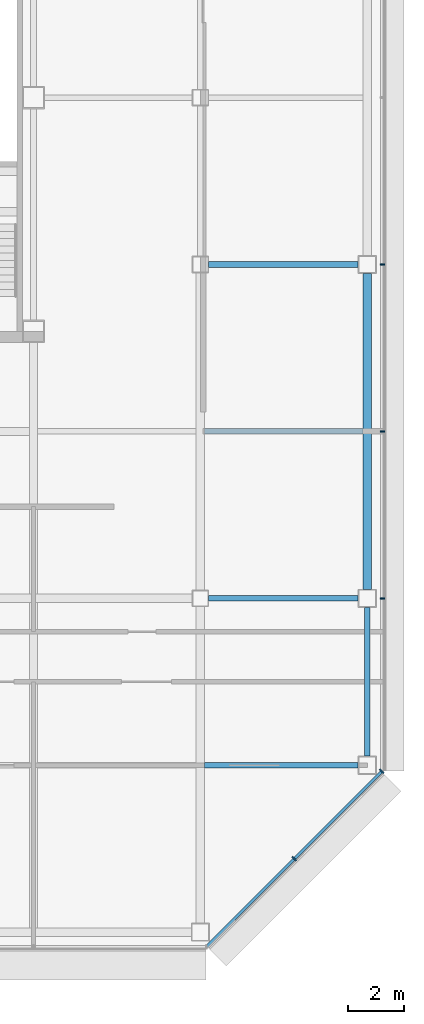
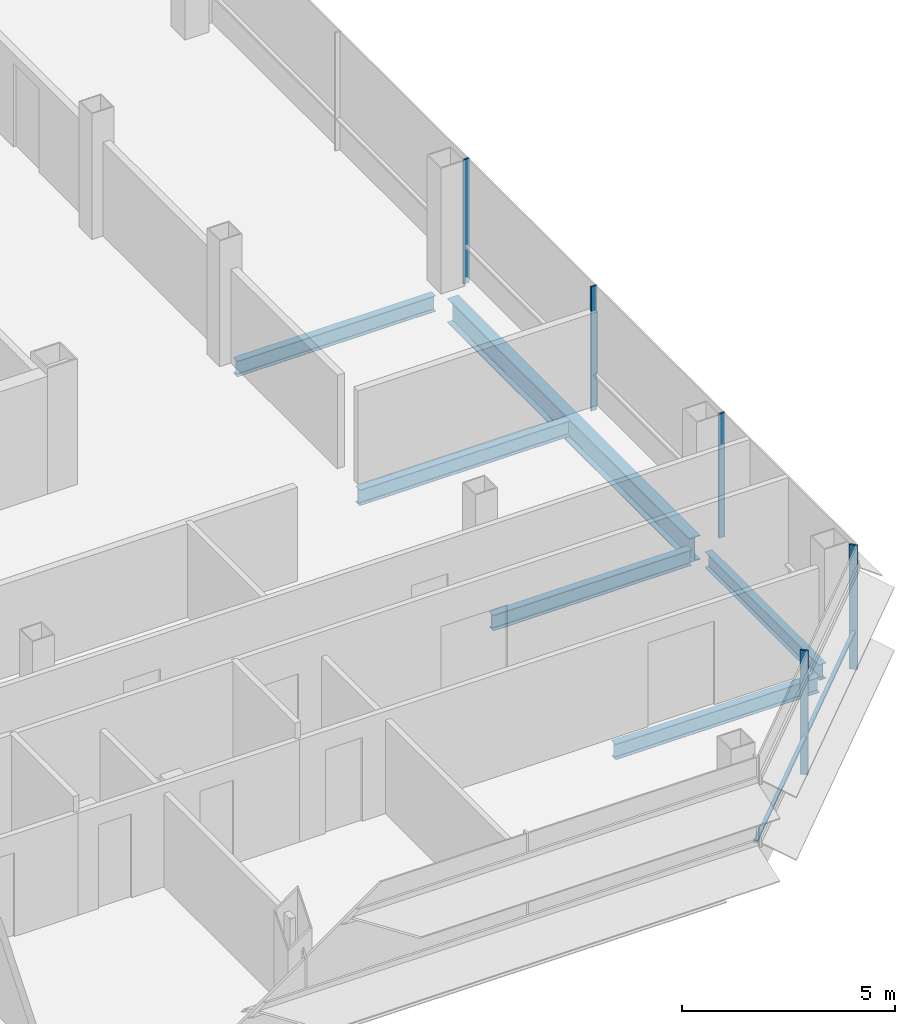
# One storey, part 16 of 27: 6 beams, 6 members, 2 elements without a shape of their own.
"""IFC4 building model written with IfcOpenShell, lengths in metres."""

from ifc_helpers import new_model, si_unit, direction, frame, origin, origin_2d, place, context, subcontext, project, spatial, rectangle, i_section, extrude, material, material_profile, profile_set, type_object, element, aggregate, save


model = new_model("IFC4")

# Units and contexts
model_context = context("Model", 3, precision=1e-05, world=origin(), true_north=direction((0.0, 1.0)))
body_context = subcontext(model_context, "Body", "Model", "MODEL_VIEW")
ifc_project = project(units=[si_unit("LENGTHUNIT", "METRE"), si_unit("AREAUNIT", "SQUARE_METRE"), si_unit("VOLUMEUNIT", "CUBIC_METRE"), si_unit("PLANEANGLEUNIT", "RADIAN"), si_unit("MASSUNIT", "GRAM", prefix="KILO")], contexts=[model_context])

# Site, building, storey
site_placement = place(None, origin())
site = spatial("IfcSite", under=ifc_project, at=site_placement, CompositionType="ELEMENT")
building_placement = place(site_placement, origin())
building = spatial("IfcBuilding", under=site, at=building_placement, Name="Sorahane Residences", CompositionType="ELEMENT")
storey_placement = place(building_placement, frame((0.0, 0.0, 206.39990234375)))
storey = spatial("IfcBuildingStorey", under=building, at=storey_placement, Name="L48", CompositionType="ELEMENT", Elevation=206.39990234375)

# Curtain wall, members
ifc_material_1 = material(Name="Dark low-e glass and black anodised aluminium", Category="aluminium")
curtain_wall_type_1 = type_object("IfcCurtainWallType", Name="Curtain wall CW-1 Typical unitised wall", PredefinedType="NOTDEFINED", material=ifc_material_1)
curtain_wall_1_placement = place(storey_placement, origin())
curtain_wall_1 = element("IfcCurtainWall", 1, at=curtain_wall_1_placement, inside=storey, type_object=curtain_wall_type_1, Name="CW-1 curtain wall L48 E1", PredefinedType="NOTDEFINED")
ifc_material_2 = material(Name="Black anodised aluminium", Category="aluminium")
ifc_material_profile_1 = material_profile(ifc_material_2, rectangle(XDim=0.159912109375, YDim=0.050048828125, at=origin_2d()), Name="Curtain wall mullion CW-1 black anodised aluminium 50x160")
ifc_profile_set_1 = profile_set([ifc_material_profile_1], Name="Black anodised aluminium")
member_type_1 = type_object("IfcMemberType", Name="Curtain wall mullion CW-1 black anodised aluminium 50x160", PredefinedType="MULLION", material=ifc_profile_set_1)
member_1_placement = place(storey_placement, frame((54.5400390625, 12.0, -0.179931640625), z_axis=(0.0, 0.0, 1.0), x_axis=(1.0, 0.0, 0.0)))
member_1 = element("IfcMember", 2, at=member_1_placement, type_object=member_type_1, Name="CW-1 mullion L48 E1.2", PredefinedType="MULLION", context=body_context, shape_type="SweptSolid", body=[
    extrude(rectangle(XDim=0.159912109375, YDim=0.050048828125, at=origin_2d()), origin(), (0.0, 0.0, 1.0), 3.56005859375),
])
member_2_placement = place(storey_placement, frame((54.5400390625, 18.0, -0.179931640625), z_axis=(0.0, 0.0, 1.0), x_axis=(1.0, 0.0, 0.0)))
member_2 = element("IfcMember", 3, at=member_2_placement, type_object=member_type_1, Name="CW-1 mullion L48 E1.3", PredefinedType="MULLION", context=body_context, shape_type="SweptSolid", body=[
    extrude(rectangle(XDim=0.159912109375, YDim=0.050048828125, at=origin_2d()), origin(), (0.0, 0.0, 1.0), 3.56005859375),
])
member_3_placement = place(storey_placement, frame((54.5400390625, 24.0, -0.179931640625), z_axis=(0.0, 0.0, 1.0), x_axis=(1.0, 0.0, 0.0)))
member_3 = element("IfcMember", 4, at=member_3_placement, type_object=member_type_1, Name="CW-1 mullion L48 E1.4", PredefinedType="MULLION", context=body_context, shape_type="SweptSolid", body=[
    extrude(rectangle(XDim=0.159912109375, YDim=0.050048828125, at=origin_2d()), origin(), (0.0, 0.0, 1.0), 3.56005859375),
])
aggregate(curtain_wall_1, [member_1, member_2, member_3])

ifc_material_3 = material(Name="Dark low-e glass and black anodised aluminium", Category="aluminium")
curtain_wall_type_2 = type_object("IfcCurtainWallType", Name="Curtain wall CW-2 Chamfer unitised wall", PredefinedType="NOTDEFINED", material=ifc_material_3)
curtain_wall_2_placement = place(storey_placement, origin())
curtain_wall_2 = element("IfcCurtainWall", 5, at=curtain_wall_2_placement, inside=storey, type_object=curtain_wall_type_2, Name="CW-2 curtain wall L48 SE1", PredefinedType="NOTDEFINED")
ifc_material_4 = material(Name="Black anodised aluminium", Category="aluminium")
ifc_material_profile_2 = material_profile(ifc_material_4, rectangle(XDim=0.199951171875, YDim=0.050048828125, at=origin_2d()), Name="Curtain wall mullion CW-2 black anodised aluminium 50x200")
ifc_profile_set_2 = profile_set([ifc_material_profile_2], Name="Black anodised aluminium")
member_type_2 = type_object("IfcMemberType", Name="Curtain wall mullion CW-2 black anodised aluminium 50x200", PredefinedType="MULLION", material=ifc_profile_set_2)
member_4_placement = place(storey_placement, frame((51.36767578125, 2.63232421875, -0.179931640625), z_axis=(0.0, 0.0, 1.0), x_axis=(0.707106781187, -0.707106781187, 0.0)))
member_4 = element("IfcMember", 6, at=member_4_placement, type_object=member_type_2, Name="CW-2 mullion L48 SE1.2", PredefinedType="MULLION", context=body_context, shape_type="SweptSolid", body=[
    extrude(rectangle(XDim=0.199951171875, YDim=0.050048828125, at=origin_2d()), origin(), (0.0, 0.0, 1.0), 3.56005859375),
])
member_5_placement = place(storey_placement, frame((54.525634765625, 5.790283203125, -0.179931640625), z_axis=(0.0, 0.0, 1.0), x_axis=(0.707106781187, -0.707106781187, 0.0)))
member_5 = element("IfcMember", 7, at=member_5_placement, type_object=member_type_2, Name="CW-2 mullion L48 SE1.3", PredefinedType="MULLION", context=body_context, shape_type="SweptSolid", body=[
    extrude(rectangle(XDim=0.199951171875, YDim=0.050048828125, at=origin_2d()), origin(), (0.0, 0.0, 1.0), 3.56005859375),
])
ifc_material_5 = material(Name="Black anodised aluminium", Category="aluminium")
ifc_material_profile_3 = material_profile(ifc_material_5, rectangle(XDim=0.10009765625, YDim=0.06005859375, at=origin_2d()), Name="Curtain wall transom CW-2 black anodised aluminium 60x100")
ifc_profile_set_3 = profile_set([ifc_material_profile_3], Name="Black anodised aluminium")
member_type_3 = type_object("IfcMemberType", Name="Curtain wall transom CW-2 black anodised aluminium 60x100", PredefinedType="USERDEFINED", material=ifc_profile_set_3)
member_6_placement = place(storey_placement, frame((48.234375, -0.51513671875, 0.900146484375), z_axis=(0.707106781187, 0.707106781187, 0.0), x_axis=(-0.707106781187, 0.707106781187, 0.0)))
member_6 = element("IfcMember", 8, at=member_6_placement, type_object=member_type_3, Name="CW-2 transom L48 SE1", ObjectType="TRANSOM", PredefinedType="USERDEFINED", context=body_context, shape_type="SweptSolid", body=[
    extrude(rectangle(XDim=0.10009765625, YDim=0.06005859375, at=origin_2d()), origin(), (0.0, 0.0, 1.0), 8.88232421875),
])
aggregate(curtain_wall_2, [member_4, member_5, member_6])

# Beams
ifc_material_6 = material(Name="Steel Q355B", Category="steel")
ifc_material_profile_4 = material_profile(ifc_material_6, i_section(OverallWidth=0.199951171875, OverallDepth=0.449951171875, WebThickness=0.009033203125, FlangeThickness=0.013916015625, FilletRadius=0.02001953125, at=origin_2d()), Name="HN 450x200x9x14")
ifc_profile_set_4 = profile_set([ifc_material_profile_4], Name="Steel Q355B")
beam_type_1 = type_object("IfcBeamType", Name="Steel floor beam HN 450x200x9x14 Q355B", PredefinedType="BEAM", material=ifc_profile_set_4)
for number, where, z_axis, x_axis, name in (
    (9, (48.300048828125, 12.0, -0.40478515625), (1.0, 0.0, 0.0), (0.0, 1.0, 0.0), "Beam L48 010"),
    (10, (48.300048828125, 24.0, -0.40478515625), (1.0, 0.0, 0.0), (0.0, 1.0, 0.0), "Beam L48 012"),
):
    element("IfcBeam", number, at=place(storey_placement, frame(where, z_axis=z_axis, x_axis=x_axis)), inside=storey, type_object=beam_type_1, Name=name, PredefinedType="BEAM", context=body_context, shape_type="SweptSolid", body=[
        extrude(i_section(OverallWidth=0.199951171875, OverallDepth=0.449951171875, WebThickness=0.009033203125, FlangeThickness=0.013916015625, FilletRadius=0.02001953125, at=origin_2d()), origin(), (0.0, 0.0, 1.0), 5.375),
    ])
beam_1_placement = place(storey_placement, frame((54.0, 6.324951171875, -0.40478515625), z_axis=(0.0, 1.0, 0.0), x_axis=(-1.0, 0.0, 0.0)))
element("IfcBeam", 11, at=beam_1_placement, inside=storey, type_object=beam_type_1, Name="Beam L48 064", PredefinedType="BEAM", context=body_context, shape_type="SweptSolid", body=[
    extrude(i_section(OverallWidth=0.199951171875, OverallDepth=0.449951171875, WebThickness=0.009033203125, FlangeThickness=0.013916015625, FilletRadius=0.02001953125, at=origin_2d()), origin(), (0.0, 0.0, 1.0), 5.35009765625),
])
beam_2_placement = place(storey_placement, frame((48.14990234375, 6.0, -0.40478515625), z_axis=(1.0, 0.0, 0.0), x_axis=(0.0, 1.0, 0.0)))
element("IfcBeam", 12, at=beam_2_placement, inside=storey, type_object=beam_type_1, Name="Beam L48 077", PredefinedType="BEAM", context=body_context, shape_type="SweptSolid", body=[
    extrude(i_section(OverallWidth=0.199951171875, OverallDepth=0.449951171875, WebThickness=0.009033203125, FlangeThickness=0.013916015625, FilletRadius=0.02001953125, at=origin_2d()), origin(), (0.0, 0.0, 1.0), 5.525146484375),
])
beam_3_placement = place(storey_placement, frame((48.14990234375, 18.0, -0.40478515625), z_axis=(1.0, 0.0, 0.0), x_axis=(0.0, 1.0, 0.0)))
element("IfcBeam", 13, at=beam_3_placement, inside=storey, type_object=beam_type_1, Name="Beam L48 084", PredefinedType="BEAM", context=body_context, shape_type="SweptSolid", body=[
    extrude(i_section(OverallWidth=0.199951171875, OverallDepth=0.449951171875, WebThickness=0.009033203125, FlangeThickness=0.013916015625, FilletRadius=0.02001953125, at=origin_2d()), origin(), (0.0, 0.0, 1.0), 5.7001953125),
])
ifc_material_7 = material(Name="Steel Q355B", Category="steel")
ifc_material_profile_5 = material_profile(ifc_material_7, i_section(OverallWidth=0.300048828125, OverallDepth=0.699951171875, WebThickness=0.012939453125, FlangeThickness=0.02392578125, FilletRadius=0.028076171875, at=origin_2d()), Name="HN 700x300x13x24")
ifc_profile_set_5 = profile_set([ifc_material_profile_5], Name="Steel Q355B")
beam_type_2 = type_object("IfcBeamType", Name="Steel floor beam HN 700x300x13x24 Q355B", PredefinedType="BEAM", material=ifc_profile_set_5)
beam_4_placement = place(storey_placement, frame((54.0, 12.324951171875, -0.52978515625), z_axis=(0.0, 1.0, 0.0), x_axis=(-1.0, 0.0, 0.0)))
element("IfcBeam", 14, at=beam_4_placement, inside=storey, type_object=beam_type_2, Name="Beam L48 065", PredefinedType="BEAM", context=body_context, shape_type="SweptSolid", body=[
    extrude(i_section(OverallWidth=0.300048828125, OverallDepth=0.699951171875, WebThickness=0.012939453125, FlangeThickness=0.02392578125, FilletRadius=0.028076171875, at=origin_2d()), origin(), (0.0, 0.0, 1.0), 11.35009765625),
])

save(model, "model.ifc")
